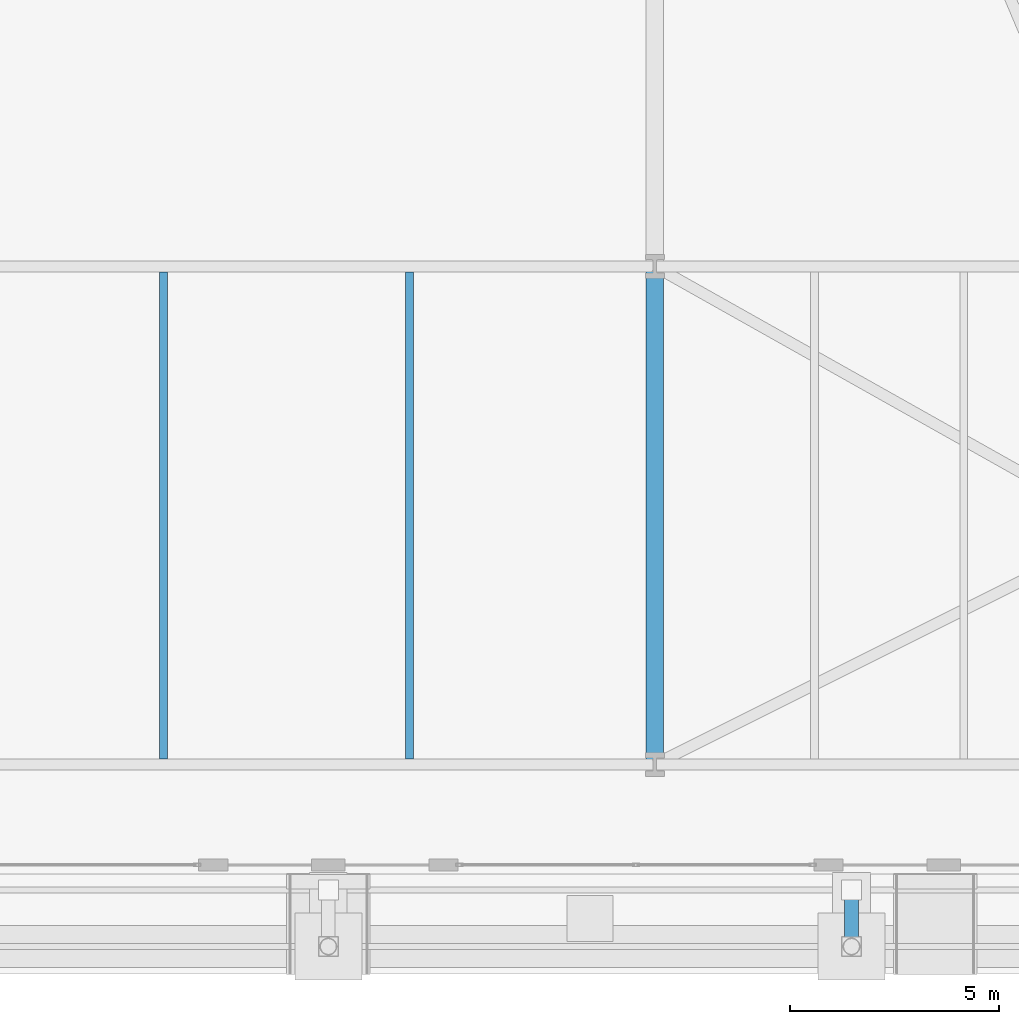
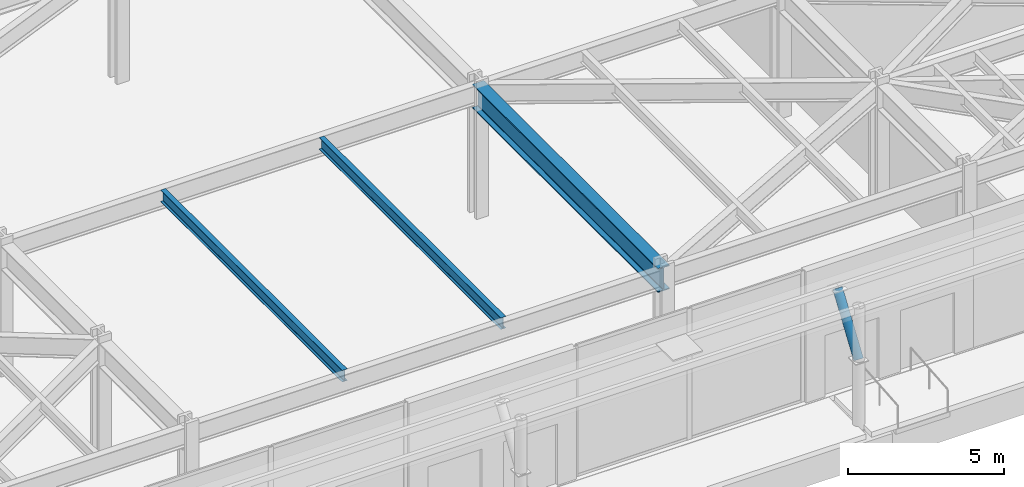
# One storey, part 14 of 31: 3 beams, 1 member.
"""IFC4 building model written with IfcOpenShell, lengths in metres."""

from ifc_helpers import new_model, si_unit, direction, frame, origin, origin_2d, place, context, subcontext, project, spatial, hollow_circle, i_section, extrude, material, material_profile, profile_set, type_object, element, save


model = new_model("IFC4")

# Units and contexts
model_context = context("Model", 3, precision=1e-05, world=origin(), true_north=direction((0.0, 1.0)))
body_context = subcontext(model_context, "Body", "Model", "MODEL_VIEW")
ifc_project = project(units=[si_unit("LENGTHUNIT", "METRE"), si_unit("AREAUNIT", "SQUARE_METRE"), si_unit("VOLUMEUNIT", "CUBIC_METRE"), si_unit("PLANEANGLEUNIT", "RADIAN"), si_unit("MASSUNIT", "GRAM", prefix="KILO")], contexts=[model_context])

# Site, building, storey
site_placement = place(None, origin())
site = spatial("IfcSite", under=ifc_project, at=site_placement, CompositionType="ELEMENT")
building_placement = place(site_placement, origin())
building = spatial("IfcBuilding", under=site, at=building_placement, Name="Kravanh Interchange Tower", CompositionType="ELEMENT")
storey_placement = place(building_placement, origin())
storey = spatial("IfcBuildingStorey", under=building, at=storey_placement, Name="L00", CompositionType="ELEMENT", Elevation=0.0)

# Member
ifc_material_1 = material(Name="Structural Steel S355", Category="steel")
ifc_material_profile_1 = material_profile(ifc_material_1, hollow_circle(Radius=0.162109375, WallThickness=0.011962890625, at=origin_2d()), Name="CHS324X12")
ifc_profile_set_1 = profile_set([ifc_material_profile_1], Name="Structural Steel S355")
member_type = type_object("IfcMemberType", Name="Canopy Raking Strut CHS324X12 Structural Steel S355", PredefinedType="STRUT", material=ifc_profile_set_1)
member_placement = place(storey_placement, frame((49.5, -1.75, 2.5), z_axis=(0.0, 0.564318032466, 0.8255574833), x_axis=(-1.0, 0.0, 0.0)))
element("IfcMember", 1, at=member_placement, inside=storey, type_object=member_type, Name="Transit Canopy Raking Strut 5", PredefinedType="STRUT", context=body_context, shape_type="SweptSolid", body=[
    extrude(hollow_circle(Radius=0.162109375, WallThickness=0.011962890625, at=origin_2d()), origin(), (0.0, 0.0, 1.0), 2.392333984375),
])

# Beams
ifc_material_2 = material(Name="Structural Steel S450", Category="steel")
ifc_material_profile_2 = material_profile(ifc_material_2, i_section(OverallWidth=0.423095703125, OverallDepth=0.947998046875, WebThickness=0.02392578125, FlangeThickness=0.042724609375, FilletRadius=0.028076171875, at=origin_2d()), Name="W36X302")
ifc_profile_set_2 = profile_set([ifc_material_profile_2], Name="Structural Steel S450")
beam_type_1 = type_object("IfcBeamType", Name="Floor Beam W36X302 Structural Steel S450", PredefinedType="BEAM", material=ifc_profile_set_2)
beam_placement = place(storey_placement, frame((44.800048828125, 2.60009765625, 4.656005859375), z_axis=(0.0, 1.0, 0.0), x_axis=(-1.0, 0.0, 0.0)))
element("IfcBeam", 2, at=beam_placement, inside=storey, type_object=beam_type_1, Name="L00 Primary Floor Girder 11", PredefinedType="BEAM", context=body_context, shape_type="SweptSolid", body=[
    extrude(i_section(OverallWidth=0.423095703125, OverallDepth=0.947998046875, WebThickness=0.02392578125, FlangeThickness=0.042724609375, FilletRadius=0.028076171875, at=origin_2d()), origin(), (0.0, 0.0, 1.0), 11.89990234375),
])
ifc_material_3 = material(Name="Structural Steel S355", Category="steel")
ifc_material_profile_3 = material_profile(ifc_material_3, i_section(OverallWidth=0.18994140625, OverallDepth=0.45703125, WebThickness=0.009033203125, FlangeThickness=0.014404296875, FilletRadius=0.01806640625, at=origin_2d()), Name="W18X50")
ifc_profile_set_3 = profile_set([ifc_material_profile_3], Name="Structural Steel S355")
beam_type_2 = type_object("IfcBeamType", Name="Floor Joist W18X50 Structural Steel S355", PredefinedType="JOIST", material=ifc_profile_set_3)
for number, where, z_axis, x_axis, name in (
    (3, (33.06591796875, 2.728515625, 4.901611328125), (0.0, 1.0, 0.0), (-1.0, 0.0, 0.0), "L00 Secondary Floor Joist 5"),
    (4, (38.93408203125, 2.728515625, 4.901611328125), (0.0, 1.0, 0.0), (-1.0, 0.0, 0.0), "L00 Secondary Floor Joist 6"),
):
    element("IfcBeam", number, at=place(storey_placement, frame(where, z_axis=z_axis, x_axis=x_axis)), inside=storey, type_object=beam_type_2, Name=name, PredefinedType="JOIST", context=body_context, shape_type="SweptSolid", body=[
        extrude(i_section(OverallWidth=0.18994140625, OverallDepth=0.45703125, WebThickness=0.009033203125, FlangeThickness=0.014404296875, FilletRadius=0.01806640625, at=origin_2d()), origin(), (0.0, 0.0, 1.0), 11.64306640625),
    ])

save(model, "model.ifc")
